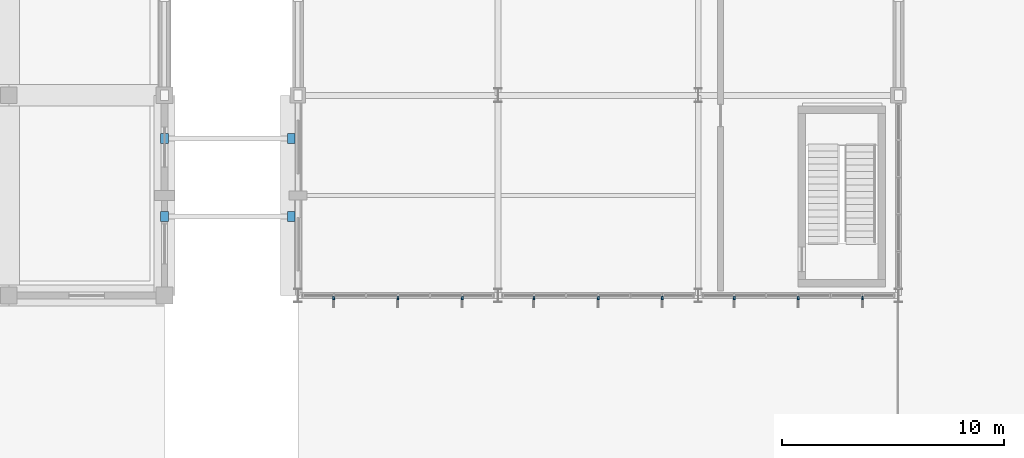
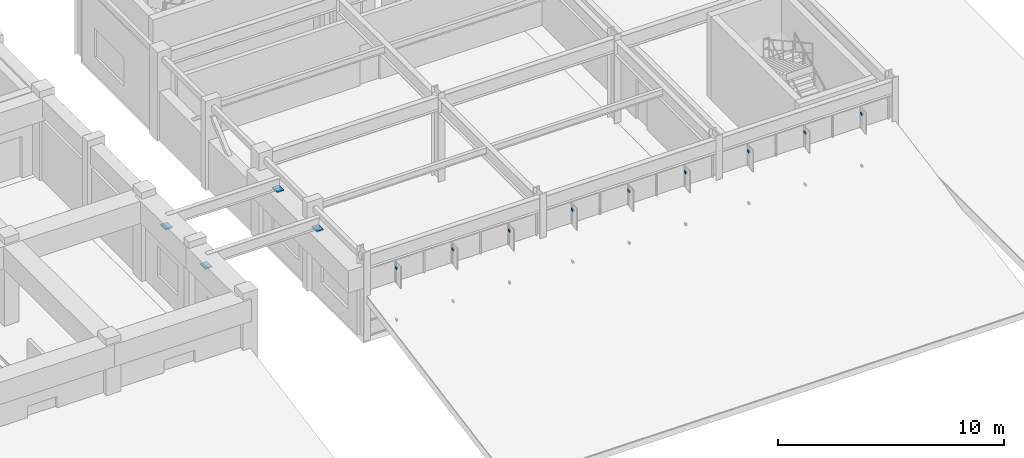
# One storey, part 93 of 104: 22 discrete accessories.
"""IFC4 building model written with IfcOpenShell, lengths in metres."""

from ifc_helpers import new_model, si_unit, direction, frame, origin, origin_2d, place, context, subcontext, project, spatial, rectangle, extrude, material, type_object, element, save


model = new_model("IFC4")

# Units and contexts
model_context = context("Model", 3, precision=1e-05, world=origin(), true_north=direction((0.0, 1.0)))
body_context = subcontext(model_context, "Body", "Model", "MODEL_VIEW")
ifc_project = project(units=[si_unit("LENGTHUNIT", "METRE"), si_unit("AREAUNIT", "SQUARE_METRE"), si_unit("VOLUMEUNIT", "CUBIC_METRE"), si_unit("PLANEANGLEUNIT", "RADIAN"), si_unit("MASSUNIT", "GRAM", prefix="KILO")], contexts=[model_context])

# Site, building, storey
site_placement = place(None, origin())
site = spatial("IfcSite", under=ifc_project, at=site_placement, CompositionType="ELEMENT")
building_placement = place(site_placement, origin())
building = spatial("IfcBuilding", under=site, at=building_placement, Name="Ventoquebrada Cableway Terminal", CompositionType="ELEMENT")
storey_placement = place(building_placement, frame((0.0, 0.0, 4.800048828125)))
storey = spatial("IfcBuildingStorey", under=building, at=storey_placement, Name="L01", CompositionType="ELEMENT", Elevation=4.800048828125)

# Discrete accessories
ifc_material_1 = material(Name="Anodized thermally-broken aluminium", Category="aluminium")
discrete_accessory_type_1 = type_object("IfcDiscreteAccessoryType", Name="BRK-01", PredefinedType="BRACKET", material=ifc_material_1)
for number, where, z_axis, x_axis, name in (
    (1, (130.613037109375, 76.8798828125, 0.389892578125), (0.0, 0.0, 1.0), (1.0, 0.0, 0.0), "Sunshade bracket FN-044"),
    (2, (130.613037109375, 76.8798828125, 3.197998046875), (0.0, 0.0, 1.0), (1.0, 0.0, 0.0), "Sunshade bracket FN-044"),
    (3, (133.5, 76.8798828125, 0.389892578125), (0.0, 0.0, 1.0), (1.0, 0.0, 0.0), "Sunshade bracket FN-045"),
    (4, (133.5, 76.8798828125, 3.197998046875), (0.0, 0.0, 1.0), (1.0, 0.0, 0.0), "Sunshade bracket FN-045"),
    (5, (136.386962890625, 76.8798828125, 0.389892578125), (0.0, 0.0, 1.0), (1.0, 0.0, 0.0), "Sunshade bracket FN-046"),
    (6, (136.386962890625, 76.8798828125, 3.197998046875), (0.0, 0.0, 1.0), (1.0, 0.0, 0.0), "Sunshade bracket FN-046"),
    (7, (139.613037109375, 76.8798828125, 0.389892578125), (0.0, 0.0, 1.0), (1.0, 0.0, 0.0), "Sunshade bracket FN-047"),
    (8, (139.613037109375, 76.8798828125, 3.197998046875), (0.0, 0.0, 1.0), (1.0, 0.0, 0.0), "Sunshade bracket FN-047"),
    (9, (142.5, 76.8798828125, 0.389892578125), (0.0, 0.0, 1.0), (1.0, 0.0, 0.0), "Sunshade bracket FN-048"),
    (10, (142.5, 76.8798828125, 3.197998046875), (0.0, 0.0, 1.0), (1.0, 0.0, 0.0), "Sunshade bracket FN-048"),
    (11, (145.386962890625, 76.8798828125, 0.389892578125), (0.0, 0.0, 1.0), (1.0, 0.0, 0.0), "Sunshade bracket FN-049"),
    (12, (145.386962890625, 76.8798828125, 3.197998046875), (0.0, 0.0, 1.0), (1.0, 0.0, 0.0), "Sunshade bracket FN-049"),
    (13, (148.613037109375, 76.8798828125, 0.389892578125), (0.0, 0.0, 1.0), (1.0, 0.0, 0.0), "Sunshade bracket FN-050"),
    (14, (148.613037109375, 76.8798828125, 3.197998046875), (0.0, 0.0, 1.0), (1.0, 0.0, 0.0), "Sunshade bracket FN-050"),
    (15, (151.5, 76.8798828125, 0.389892578125), (0.0, 0.0, 1.0), (1.0, 0.0, 0.0), "Sunshade bracket FN-051"),
    (16, (151.5, 76.8798828125, 3.197998046875), (0.0, 0.0, 1.0), (1.0, 0.0, 0.0), "Sunshade bracket FN-051"),
    (17, (154.386962890625, 76.8798828125, 0.389892578125), (0.0, 0.0, 1.0), (1.0, 0.0, 0.0), "Sunshade bracket FN-052"),
    (18, (154.386962890625, 76.8798828125, 3.197998046875), (0.0, 0.0, 1.0), (1.0, 0.0, 0.0), "Sunshade bracket FN-052"),
):
    element("IfcDiscreteAccessory", number, at=place(storey_placement, frame(where, z_axis=z_axis, x_axis=x_axis)), inside=storey, type_object=discrete_accessory_type_1, Name=name, PredefinedType="BRACKET", context=body_context, shape_type="SweptSolid", body=[
        extrude(rectangle(XDim=0.080078125, YDim=0.159912109375, at=origin_2d()), origin(), (0.0, 0.0, 1.0), 0.1201171875),
    ])
ifc_material_2 = material(Name="Steel ASTM A500 Grade C", Category="steel")
discrete_accessory_type_2 = type_object("IfcDiscreteAccessoryType", Name="FB-1", PredefinedType="SHOE", material=ifc_material_2)
for number, where, z_axis, x_axis, name in (
    (19, (123.0, 80.550048828125, 3.802490234375), (0.0, 0.0, 1.0), (1.0, 0.0, 0.0), "Pinned bridge bearing FB-1 (LP-4)"),
    (20, (123.0, 84.050048828125, 3.802490234375), (0.0, 0.0, 1.0), (1.0, 0.0, 0.0), "Pinned bridge bearing FB-1 (LP-4)"),
):
    element("IfcDiscreteAccessory", number, at=place(storey_placement, frame(where, z_axis=z_axis, x_axis=x_axis)), inside=storey, type_object=discrete_accessory_type_2, Name=name, PredefinedType="SHOE", context=body_context, shape_type="SweptSolid", body=[
        extrude(rectangle(XDim=0.35009765625, YDim=0.449951171875, at=origin_2d()), origin(), (0.0, 0.0, 1.0), 0.06494140625),
    ])
ifc_material_3 = material(Name="Elastomeric PTFE bearing assembly")
discrete_accessory_type_3 = type_object("IfcDiscreteAccessoryType", Name="SB-1", PredefinedType="SHOE", material=ifc_material_3)
for number, where, z_axis, x_axis, name in (
    (21, (128.699951171875, 80.550048828125, 3.802490234375), (0.0, 0.0, 1.0), (1.0, 0.0, 0.0), "Unguided PTFE sliding bearing SB-1 (LP-4)"),
    (22, (128.699951171875, 84.050048828125, 3.802490234375), (0.0, 0.0, 1.0), (1.0, 0.0, 0.0), "Unguided PTFE sliding bearing SB-1 (LP-4)"),
):
    element("IfcDiscreteAccessory", number, at=place(storey_placement, frame(where, z_axis=z_axis, x_axis=x_axis)), inside=storey, type_object=discrete_accessory_type_3, Name=name, PredefinedType="SHOE", context=body_context, shape_type="SweptSolid", body=[
        extrude(rectangle(XDim=0.35009765625, YDim=0.449951171875, at=origin_2d()), origin(), (0.0, 0.0, 1.0), 0.06494140625),
    ])

save(model, "model.ifc")
